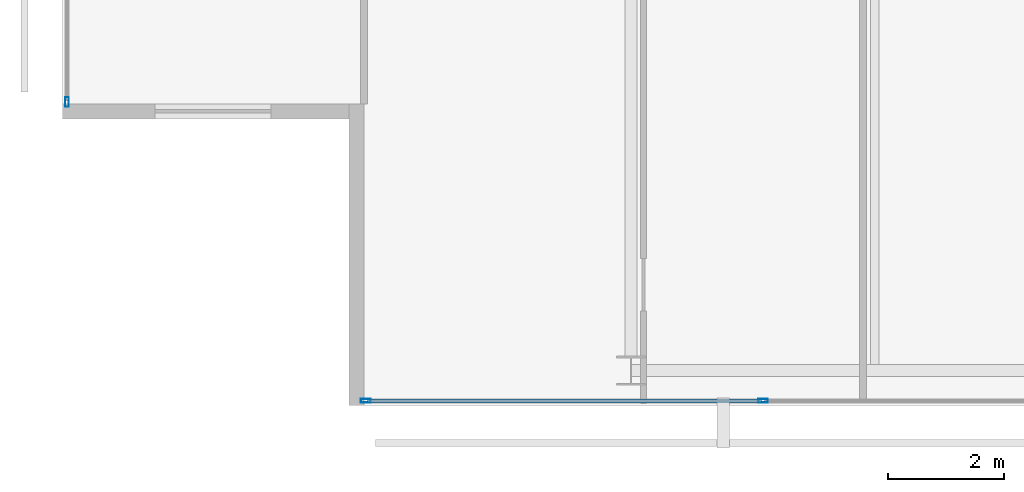
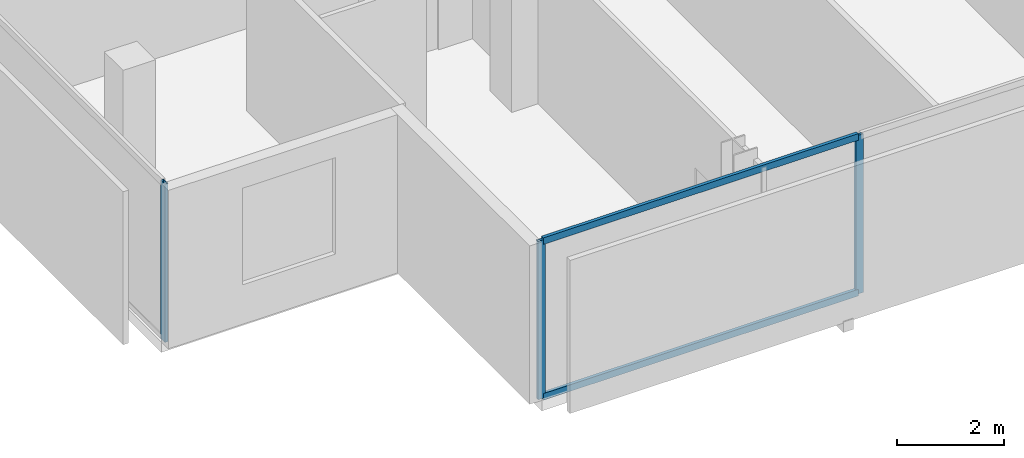
# One storey, part 2 of 26: 5 members, 2 elements without a shape of their own.
"""IFC4 building model written with IfcOpenShell, lengths in metres."""

import ifcopenshell
import ifcopenshell.guid

model = None  # the IFC model being written
_history = None  # IfcOwnerHistory: only IFC2X3 demands one
_inside = {}  # id of a spatial element -> (the spatial element, [elements in it])
_under = {}  # id of a project, library or spatial element -> (it, [spatial elements below it])
_declared = {}  # id of a project -> (the project, [libraries it declares])
_typed = {}  # id of a type object -> (the type object, [elements of that type])
_made_of = {}  # id of a material, layer set ... -> (it, [elements and type objects made of it])


def new_model(schema):
    """Start an empty IFC model of exactly this schema.

    Asked for "IFC4X3", IfcOpenShell would pick the latest addendum, in which some entities
    have other attributes; the version numbers below select the first issue.
    IFC2X3 requires an IfcOwnerHistory on every rooted entity: one is made here for all.
    """
    global model, _history
    if schema == "IFC4X3":
        model = ifcopenshell.file(schema_version=(4, 3, 0, 0))
    else:
        model = ifcopenshell.file(schema=schema)
    _inside.clear()
    _under.clear()
    _declared.clear()
    _typed.clear()
    _made_of.clear()
    _history = None
    if model.schema == "IFC2X3":
        org = make("IfcOrganization", Name="unknown")
        user = make(
            "IfcPersonAndOrganization",
            ThePerson=make("IfcPerson", FamilyName="unknown"),
            TheOrganization=org,
        )
        app = make(
            "IfcApplication",
            ApplicationDeveloper=org,
            Version="unknown",
            ApplicationFullName="unknown",
            ApplicationIdentifier="unknown",
        )
        _history = make(
            "IfcOwnerHistory",
            OwningUser=user,
            OwningApplication=app,
            ChangeAction="ADDED",
            CreationDate=0,
        )
    return model


def make(cls, **values):
    """One entity of the class cls with the attributes given. An attribute that is None is left unset."""
    return model.create_entity(
        cls, **{name: value for name, value in values.items() if value is not None}
    )


def rooted(cls, **values):
    """An entity with a GlobalId (a new one), such as an element, a storey or a relation."""
    return make(cls, GlobalId=ifcopenshell.guid.new(), OwnerHistory=_history, **values)


def si_unit(unit_type, name, prefix=None):
    """IfcSIUnit, for example si_unit("LENGTHUNIT", "METRE", prefix="MILLI")."""
    return make("IfcSIUnit", UnitType=unit_type, Prefix=prefix, Name=name)


def assignment(units):
    """IfcUnitAssignment: the units of a project."""
    return None if units is None else make("IfcUnitAssignment", Units=units)


def point(xyz):
    """IfcCartesianPoint."""
    return None if xyz is None else make("IfcCartesianPoint", Coordinates=xyz)


def direction(xyz):
    """IfcDirection."""
    return None if xyz is None else make("IfcDirection", DirectionRatios=xyz)


def frame(location, z_axis=None, x_axis=None):
    """IfcAxis2Placement3D, a coordinate frame: its origin and axes. An axis left out is left unset."""
    return make(
        "IfcAxis2Placement3D",
        Location=point(location),
        Axis=direction(z_axis),
        RefDirection=direction(x_axis),
    )


def frame_2d(location, x_axis=None):
    """IfcAxis2Placement2D, a coordinate frame in the plane: its origin and x axis."""
    return make(
        "IfcAxis2Placement2D", Location=point(location), RefDirection=direction(x_axis)
    )


def origin():
    """The frame at (0, 0, 0) with its axes left unset."""
    return frame((0.0, 0.0, 0.0))


def origin_2d():
    """The frame at (0, 0) in the plane with its x axis left unset."""
    return frame_2d((0.0, 0.0))


def place(relative_to, where):
    """IfcLocalPlacement: puts the frame where relative to a parent placement (None: the world)."""
    return make(
        "IfcLocalPlacement", PlacementRelTo=relative_to, RelativePlacement=where
    )


def context(
    kind, dimensions, precision=None, world=None, true_north=None, identifier=None
):
    """IfcGeometricRepresentationContext, for example the 3D "Model" context."""
    return make(
        "IfcGeometricRepresentationContext",
        ContextIdentifier=identifier,
        ContextType=kind,
        CoordinateSpaceDimension=dimensions,
        Precision=precision,
        WorldCoordinateSystem=world,
        TrueNorth=true_north,
    )


def subcontext(parent, identifier, kind, view, scale=None):
    """IfcGeometricRepresentationSubContext, for example "Body" below "Model"."""
    return make(
        "IfcGeometricRepresentationSubContext",
        ContextIdentifier=identifier,
        ContextType=kind,
        ParentContext=parent,
        TargetScale=scale,
        TargetView=view,
    )


def project(units=None, contexts=None):
    """IfcProject with its units and contexts."""
    return rooted(
        "IfcProject",
        Name="project",
        RepresentationContexts=contexts,
        UnitsInContext=assignment(units),
    )


def spatial(cls, under=None, at=None, **own):
    """A site, building, storey or space (cls), placed at a placement, below another one or the project."""
    s = rooted(cls, ObjectPlacement=at, **own)
    if under is not None:
        _under.setdefault(under.id(), (under, []))[1].append(s)
    return s


def profile(cls, at=None, kind="AREA", **sizes):
    """A parametric profile (cls). Its sizes go by their IFC names, for example OverallWidth=200.0."""
    return make(cls, ProfileType=kind, Position=at, **sizes)


def hollow_rectangle(**sizes):
    """IfcRectangleHollowProfileDef."""
    return profile("IfcRectangleHollowProfileDef", **sizes)


def extrude(swept, where, along, depth):
    """IfcExtrudedAreaSolid: the profile swept, set in the frame where, extruded along a direction by depth."""
    return make(
        "IfcExtrudedAreaSolid",
        SweptArea=swept,
        Position=where,
        ExtrudedDirection=direction(along),
        Depth=depth,
    )


def shape(context_of_items, identifier, shape_type, items):
    """IfcShapeRepresentation: the items that make up one representation, for example the "Body"."""
    return make(
        "IfcShapeRepresentation",
        ContextOfItems=context_of_items,
        RepresentationIdentifier=identifier,
        RepresentationType=shape_type,
        Items=items,
    )


def material(Name=None, Category=None):
    """IfcMaterial."""
    return make("IfcMaterial", Name=Name, Category=Category)


def layer(
    of_material, thickness, ventilated=None, Name=None, Category=None, Priority=None
):
    """IfcMaterialLayer: one layer of a wall or slab, of a material (None: an air gap)."""
    return make(
        "IfcMaterialLayer",
        Material=of_material,
        LayerThickness=thickness,
        IsVentilated=ventilated,
        Name=Name,
        Category=Category,
        Priority=Priority,
    )


def layer_set(layers, Name=None):
    """IfcMaterialLayerSet."""
    return make("IfcMaterialLayerSet", MaterialLayers=layers, LayerSetName=Name)


def material_profile(
    of_material, cross_section, Name=None, Category=None, Priority=None
):
    """IfcMaterialProfile: a cross section and its material."""
    return make(
        "IfcMaterialProfile",
        Name=Name,
        Material=of_material,
        Profile=cross_section,
        Priority=Priority,
        Category=Category,
    )


def profile_set(profiles, Name=None, composite=None):
    """IfcMaterialProfileSet."""
    return make(
        "IfcMaterialProfileSet",
        Name=Name,
        MaterialProfiles=profiles,
        CompositeProfile=composite,
    )


def made_of(thing, what):
    """Note that an element or type object is made of a material, layer set ...; save() writes the relation."""
    if what is not None:
        _made_of.setdefault(what.id(), (what, []))[1].append(thing)
    return thing


def type_object(cls, material=None, **own):
    """A type object (cls), such as IfcWallType, which elements share."""
    return made_of(rooted(cls, **own), material)


def element(
    cls,
    number,
    at=None,
    inside=None,
    cuts=None,
    type_object=None,
    material=None,
    context=None,
    identifier="Body",
    shape_type=None,
    held_by="IfcProductDefinitionShape",
    body=None,
    shapes=None,
    **own,
):
    """One element of the class cls, such as IfcWall. Its Tag is "e" and its number.

    at: its placement. inside: the storey or other place that contains it. cuts: it is an
    opening in that element (IfcRelVoidsElement). A single representation is given by context,
    identifier, shape_type and body (its items); several are given by shapes. held_by: the class
    of the entity that holds the representations. save() writes the other relations.
    """
    e = rooted(cls, Tag="e%d" % number, ObjectPlacement=at, **own)
    if body is not None:
        shapes = [shape(context, identifier, shape_type, body)]
    if shapes is not None:
        e.Representation = make(held_by, Representations=shapes)
    if inside is not None:
        _inside.setdefault(inside.id(), (inside, []))[1].append(e)
    if cuts is not None:
        rooted(
            "IfcRelVoidsElement", RelatingBuildingElement=cuts, RelatedOpeningElement=e
        )
    if type_object is not None:
        _typed.setdefault(type_object.id(), (type_object, []))[1].append(e)
    return made_of(e, material)


def aggregate(whole, parts):
    """IfcRelAggregates: a whole, such as a stair, and the parts it consists of."""
    return rooted("IfcRelAggregates", RelatingObject=whole, RelatedObjects=parts)


def save(model, path):
    """Write the relations noted so far, then the file.

    IfcRelAggregates (storeys below a building ...), IfcRelContainedInSpatialStructure (elements
    in a storey), IfcRelDefinesByType, IfcRelAssociatesMaterial and IfcRelDeclares: one each for
    every whole, place, type object, material and project.
    """
    for whole, parts in _under.values():
        aggregate(whole, parts)
    for where, things in _inside.values():
        rooted(
            "IfcRelContainedInSpatialStructure",
            RelatedElements=things,
            RelatingStructure=where,
        )
    for kind, things in _typed.values():
        rooted("IfcRelDefinesByType", RelatedObjects=things, RelatingType=kind)
    for what, things in _made_of.values():
        rooted("IfcRelAssociatesMaterial", RelatedObjects=things, RelatingMaterial=what)
    for by, libraries in _declared.values():
        rooted("IfcRelDeclares", RelatingContext=by, RelatedDefinitions=libraries)
    model.write(path)


model = new_model("IFC4")

# Units and contexts
model_context = context("Model", 3, precision=1e-05, world=origin(), true_north=direction((0.0, 1.0)))
body_context = subcontext(model_context, "Body", "Model", "MODEL_VIEW")
ifc_project = project(units=[si_unit("LENGTHUNIT", "METRE"), si_unit("AREAUNIT", "SQUARE_METRE"), si_unit("VOLUMEUNIT", "CUBIC_METRE"), si_unit("PLANEANGLEUNIT", "RADIAN"), si_unit("MASSUNIT", "GRAM", prefix="KILO")], contexts=[model_context])

# Site, building, storey
site_placement = place(None, origin())
site = spatial("IfcSite", under=ifc_project, at=site_placement, CompositionType="ELEMENT")
building_placement = place(site_placement, origin())
building = spatial("IfcBuilding", under=site, at=building_placement, Name="Maruvema Waterfront Hotel and Observation Tower", CompositionType="ELEMENT")
storey_placement = place(building_placement, frame((0.0, 0.0, 258.64990234375)))
storey = spatial("IfcBuildingStorey", under=building, at=storey_placement, Name="L63", CompositionType="ELEMENT", Elevation=258.64990234375)

# Curtain wall, members
ifc_material_1 = material(Name="Anodised bronze aluminium and solar-control low-E IGU", Category="aluminium")
ifc_layer = layer(ifc_material_1, 0.159912109375, Name="Zone 3 Champagne Inner Thermal Curtain Wall System CW-04")
ifc_layer_set = layer_set([ifc_layer], Name="Anodised bronze aluminium and solar-control low-E IGU")
curtain_wall_type = type_object("IfcCurtainWallType", Name="Zone 3 Champagne Inner Thermal Curtain Wall System CW-04", PredefinedType="USERDEFINED", material=ifc_layer_set)
curtain_wall_1_placement = place(storey_placement, origin())
curtain_wall_1 = element("IfcCurtainWall", 1, at=curtain_wall_1_placement, inside=storey, type_object=curtain_wall_type, Name="L63 Curtain Wall CW-L63-S", ObjectType="UNITISED CURTAIN WALL", PredefinedType="USERDEFINED")
ifc_material_2 = material(Name="Anodised architectural bronze aluminium", Category="aluminium")
ifc_material_profile_1 = material_profile(ifc_material_2, hollow_rectangle(XDim=0.070068359375, YDim=0.14990234375, WallThickness=0.00390625, at=origin_2d()), Name="ALU-T70x150")
ifc_profile_set_1 = profile_set([ifc_material_profile_1], Name="Anodised architectural bronze aluminium")
member_type_1 = type_object("IfcMemberType", Name="Curtain Wall Horizontal Transom ALU-T70x150", PredefinedType="USERDEFINED", material=ifc_profile_set_1)
member_1_placement = place(storey_placement, frame((20.659912109375, 9.280029296875, 0.030029296875), z_axis=(1.0, 0.0, 0.0), x_axis=(0.0, 1.0, 0.0)))
member_1 = element("IfcMember", 2, at=member_1_placement, type_object=member_type_1, Name="CW-04 transom 1.1", ObjectType="TRANSOM", PredefinedType="USERDEFINED", context=body_context, shape_type="SweptSolid", body=[
    extrude(hollow_rectangle(XDim=0.070068359375, YDim=0.14990234375, WallThickness=0.00390625, at=origin_2d()), origin(), (0.0, 0.0, 1.0), 6.7900390625),
])
member_2_placement = place(storey_placement, frame((20.659912109375, 9.280029296875, 3.580078125), z_axis=(1.0, 0.0, 0.0), x_axis=(0.0, 1.0, 0.0)))
member_2 = element("IfcMember", 3, at=member_2_placement, type_object=member_type_1, Name="CW-04 transom 1.2", ObjectType="TRANSOM", PredefinedType="USERDEFINED", context=body_context, shape_type="SweptSolid", body=[
    extrude(hollow_rectangle(XDim=0.070068359375, YDim=0.14990234375, WallThickness=0.00390625, at=origin_2d()), origin(), (0.0, 0.0, 1.0), 6.7900390625),
])
ifc_material_3 = material(Name="Anodised architectural bronze aluminium", Category="aluminium")
ifc_material_profile_2 = material_profile(ifc_material_3, hollow_rectangle(XDim=0.06494140625, YDim=0.1650390625, WallThickness=0.00390625, at=origin_2d()), Name="ALU-M65x165")
ifc_profile_set_2 = profile_set([ifc_material_profile_2], Name="Anodised architectural bronze aluminium")
member_type_2 = type_object("IfcMemberType", Name="Curtain Wall Primary Mullion ALU-M65x165", PredefinedType="MULLION", material=ifc_profile_set_2)
member_3_placement = place(storey_placement, frame((20.6298828125, 9.280029296875, 0.0), z_axis=(0.0, 0.0, 1.0), x_axis=(0.0, 1.0, 0.0)))
member_3 = element("IfcMember", 4, at=member_3_placement, type_object=member_type_2, Name="CW-04 mullion 1", PredefinedType="MULLION", context=body_context, shape_type="SweptSolid", body=[
    extrude(hollow_rectangle(XDim=0.06494140625, YDim=0.1650390625, WallThickness=0.00390625, at=origin_2d()), origin(), (0.0, 0.0, 1.0), 3.610107421875),
])
member_4_placement = place(storey_placement, frame((27.47998046875, 9.280029296875, 0.0), z_axis=(0.0, 0.0, 1.0), x_axis=(0.0, 1.0, 0.0)))
member_4 = element("IfcMember", 5, at=member_4_placement, type_object=member_type_2, Name="CW-04 mullion 2", PredefinedType="MULLION", context=body_context, shape_type="SweptSolid", body=[
    extrude(hollow_rectangle(XDim=0.06494140625, YDim=0.1650390625, WallThickness=0.00390625, at=origin_2d()), origin(), (0.0, 0.0, 1.0), 3.610107421875),
])
aggregate(curtain_wall_1, [member_3, member_4, member_1, member_2])

# Curtain wall, member
curtain_wall_2_placement = place(storey_placement, origin())
curtain_wall_2 = element("IfcCurtainWall", 6, at=curtain_wall_2_placement, inside=storey, type_object=curtain_wall_type, Name="L63 Curtain Wall CW-L63-W", ObjectType="UNITISED CURTAIN WALL", PredefinedType="USERDEFINED")
member_5_placement = place(storey_placement, frame((15.47998046875, 14.429931640625, 0.0), z_axis=(0.0, 0.0, 1.0), x_axis=(1.0, 0.0, 0.0)))
member_5 = element("IfcMember", 7, at=member_5_placement, type_object=member_type_2, Name="CW-04 mullion 6", PredefinedType="MULLION", context=body_context, shape_type="SweptSolid", body=[
    extrude(hollow_rectangle(XDim=0.06494140625, YDim=0.1650390625, WallThickness=0.00390625, at=origin_2d()), origin(), (0.0, 0.0, 1.0), 3.610107421875),
])
aggregate(curtain_wall_2, [member_5])

save(model, "model.ifc")
